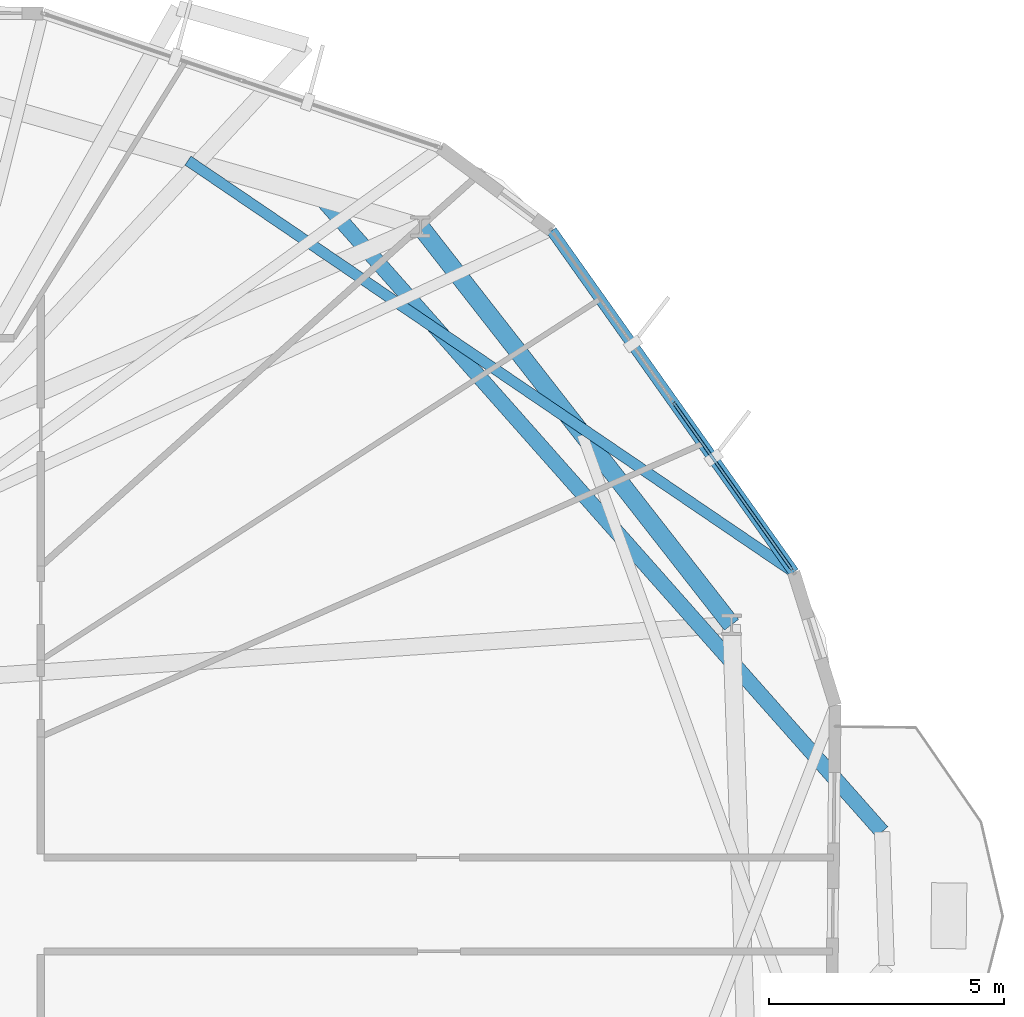
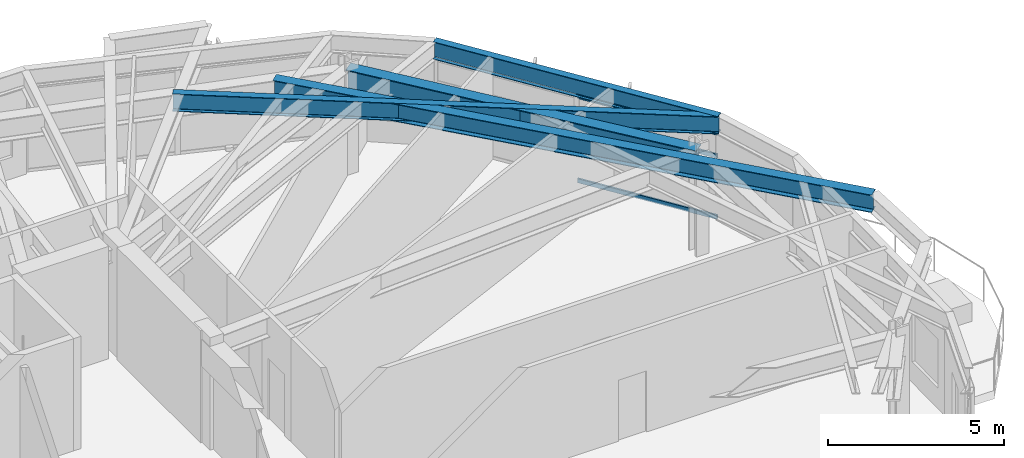
# One storey, part 15 of 27: 4 beams, 3 members, 1 element without a shape of its own.
"""IFC4 building model written with IfcOpenShell, lengths in metres."""

from ifc_helpers import new_model, si_unit, direction, frame, origin, origin_2d, place, context, subcontext, project, spatial, hollow_rectangle, i_section, extrude, material, layer, layer_set, material_profile, profile_set, type_object, element, aggregate, save


model = new_model("IFC4")

# Units and contexts
model_context = context("Model", 3, precision=1e-05, world=origin(), true_north=direction((0.0, 1.0)))
body_context = subcontext(model_context, "Body", "Model", "MODEL_VIEW")
ifc_project = project(units=[si_unit("LENGTHUNIT", "METRE"), si_unit("AREAUNIT", "SQUARE_METRE"), si_unit("VOLUMEUNIT", "CUBIC_METRE"), si_unit("PLANEANGLEUNIT", "RADIAN"), si_unit("MASSUNIT", "GRAM", prefix="KILO")], contexts=[model_context])

# Site, building, storey
site_placement = place(None, origin())
site = spatial("IfcSite", under=ifc_project, at=site_placement, CompositionType="ELEMENT")
building_placement = place(site_placement, origin())
building = spatial("IfcBuilding", under=site, at=building_placement, Name="Soratama Intermodal Tower", CompositionType="ELEMENT")
storey_placement = place(building_placement, frame((0.0, 0.0, 95.199951171875)))
storey = spatial("IfcBuildingStorey", under=building, at=storey_placement, Name="L22", CompositionType="ELEMENT", Elevation=95.199951171875)

# Beams
ifc_material_1 = material(Name="Structural steel ASTM A992 Grade 50", Category="steel")
ifc_material_profile_1 = material_profile(ifc_material_1, i_section(OverallWidth=0.324951171875, OverallDepth=0.615966796875, WebThickness=0.013916015625, FlangeThickness=0.021484375, FilletRadius=0.013916015625, at=origin_2d()), Name="W24X117")
ifc_profile_set_1 = profile_set([ifc_material_profile_1], Name="Structural steel ASTM A992 Grade 50")
beam_type_1 = type_object("IfcBeamType", Name="BM-CANT-W24X117", PredefinedType="BEAM", material=ifc_profile_set_1)
beam_1_placement = place(storey_placement, frame((52.64306640625, 40.0009765625, 3.2919921875), z_axis=(0.662894502097, -0.748712814829, 0.0), x_axis=(0.748712814829, 0.662894502097, 0.0)))
element("IfcBeam", 1, at=beam_1_placement, inside=storey, type_object=beam_type_1, Name="BM-L22-CANT-1-2", PredefinedType="BEAM", context=body_context, shape_type="SweptSolid", body=[
    extrude(i_section(OverallWidth=0.324951171875, OverallDepth=0.615966796875, WebThickness=0.013916015625, FlangeThickness=0.021484375, FilletRadius=0.013916015625, at=origin_2d()), origin(), (0.0, 0.0, 1.0), 17.970947265625),
])
ifc_material_2 = material(Name="Structural steel ASTM A992 Grade 50", Category="steel")
ifc_material_profile_2 = material_profile(ifc_material_2, i_section(OverallWidth=0.382080078125, OverallDepth=0.779052734375, WebThickness=0.01806640625, FlangeThickness=0.030029296875, FilletRadius=0.01806640625, at=origin_2d()), Name="W30X191")
ifc_profile_set_2 = profile_set([ifc_material_profile_2], Name="Structural steel ASTM A992 Grade 50")
beam_type_2 = type_object("IfcBeamType", Name="BM-RING-W30X191", PredefinedType="BEAM", material=ifc_profile_set_2)
beam_2_placement = place(storey_placement, frame((61.35107421875, 30.950927734375, 3.21044921875), z_axis=(-0.615683690883, 0.787993396407, 0.0), x_axis=(-0.787993396407, -0.615683690883, 0.0)))
element("IfcBeam", 2, at=beam_2_placement, inside=storey, type_object=beam_type_2, Name="BM-L22-RING-01", PredefinedType="BEAM", context=body_context, shape_type="SweptSolid", body=[
    extrude(i_section(OverallWidth=0.382080078125, OverallDepth=0.779052734375, WebThickness=0.01806640625, FlangeThickness=0.030029296875, FilletRadius=0.01806640625, at=origin_2d()), origin(), (0.0, 0.0, 1.0), 10.754150390625),
])
ifc_material_3 = material(Name="Structural steel ASTM A992 Grade 50", Category="steel")
ifc_material_profile_3 = material_profile(ifc_material_3, i_section(OverallWidth=0.22900390625, OverallDepth=0.612060546875, WebThickness=0.011962890625, FlangeThickness=0.01953125, FilletRadius=0.012939453125, at=origin_2d()), Name="W24X84")
ifc_profile_set_3 = profile_set([ifc_material_profile_3], Name="Structural steel ASTM A992 Grade 50")
beam_type_3 = type_object("IfcBeamType", Name="BM-SPN-W24X84", PredefinedType="SPANDREL", material=ifc_profile_set_3)
beam_3_placement = place(storey_placement, frame((62.675048828125, 32.072021484375, 3.2939453125), z_axis=(-0.578380704707, 0.815766976791, 0.0), x_axis=(-0.815766976791, -0.578380704707, 0.0)))
element("IfcBeam", 3, at=beam_3_placement, inside=storey, type_object=beam_type_3, Name="BS-L22-F01", PredefinedType="SPANDREL", context=body_context, shape_type="SweptSolid", body=[
    extrude(i_section(OverallWidth=0.22900390625, OverallDepth=0.612060546875, WebThickness=0.011962890625, FlangeThickness=0.01953125, FilletRadius=0.012939453125, at=origin_2d()), origin(), (0.0, 0.0, 1.0), 8.909423828125),
])
ifc_material_4 = material(Name="Structural steel ASTM A992 Grade 50", Category="steel")
ifc_material_profile_4 = material_profile(ifc_material_4, i_section(OverallWidth=0.22900390625, OverallDepth=0.612060546875, WebThickness=0.011962890625, FlangeThickness=0.01953125, FilletRadius=0.012939453125, at=origin_2d()), Name="W24X84")
ifc_profile_set_4 = profile_set([ifc_material_profile_4], Name="Structural steel ASTM A992 Grade 50")
beam_type_4 = type_object("IfcBeamType", Name="BM-TIE-W24X84", PredefinedType="BEAM", material=ifc_profile_set_4)
beam_4_placement = place(storey_placement, frame((49.782958984375, 40.8310546875, 3.2939453125), z_axis=(0.827152808892, -0.561977073147, 0.0), x_axis=(0.561977073147, 0.827152808892, 0.0)))
element("IfcBeam", 4, at=beam_4_placement, inside=storey, type_object=beam_type_4, Name="BM-L22-TIE0-01", PredefinedType="BEAM", context=body_context, shape_type="SweptSolid", body=[
    extrude(i_section(OverallWidth=0.22900390625, OverallDepth=0.612060546875, WebThickness=0.011962890625, FlangeThickness=0.01953125, FilletRadius=0.012939453125, at=origin_2d()), origin(), (0.0, 0.0, 1.0), 15.586181640625),
])

# Curtain wall, members
ifc_material_5 = material(Name="Double-glazed aluminium curtain wall", Category="aluminium")
ifc_layer = layer(ifc_material_5, 0.159912109375)
ifc_layer_set = layer_set([ifc_layer], Name="Double-glazed aluminium curtain wall")
curtain_wall_type = type_object("IfcCurtainWallType", Name="CW-SYS-3", PredefinedType="NOTDEFINED", material=ifc_layer_set)
curtain_wall_placement = place(storey_placement, origin())
curtain_wall = element("IfcCurtainWall", 5, at=curtain_wall_placement, inside=storey, type_object=curtain_wall_type, Name="L22 Faceted Curtain Wall F01", PredefinedType="NOTDEFINED")
ifc_material_6 = material(Name="Anodised aluminium AA 6063-T6", Category="aluminium")
ifc_material_profile_5 = material_profile(ifc_material_6, hollow_rectangle(XDim=0.06494140625, YDim=0.14990234375, WallThickness=0.0048828125, InnerFilletRadius=0.0048828125, OuterFilletRadius=0.010009765625, at=origin_2d()), Name="CWT150X65X5")
ifc_profile_set_5 = profile_set([ifc_material_profile_5], Name="Anodised aluminium AA 6063-T6")
member_type = type_object("IfcMemberType", Name="TT-CWT-1", PredefinedType="USERDEFINED", material=ifc_profile_set_5)
member_1_placement = place(storey_placement, frame((62.639892578125, 32.121337890625, 0.030029296875), z_axis=(-0.57836651038, 0.815777040417, 0.0), x_axis=(-0.815777040417, -0.57836651038, 0.0)))
member_1 = element("IfcMember", 6, at=member_1_placement, type_object=member_type, Name="CW-3 transom 1.1", ObjectType="TRANSOM", PredefinedType="USERDEFINED", context=body_context, shape_type="SweptSolid", body=[
    extrude(hollow_rectangle(XDim=0.06494140625, YDim=0.14990234375, WallThickness=0.0048828125, InnerFilletRadius=0.0048828125, OuterFilletRadius=0.010009765625, at=origin_2d()), origin(), (0.0, 0.0, 1.0), 4.3642578125),
])
member_2_placement = place(storey_placement, frame((62.639892578125, 32.121337890625, 2.150146484375), z_axis=(-0.57836651038, 0.815777040417, 0.0), x_axis=(-0.815777040417, -0.57836651038, 0.0)))
member_2 = element("IfcMember", 7, at=member_2_placement, type_object=member_type, Name="CW-3 transom 1.2", ObjectType="TRANSOM", PredefinedType="USERDEFINED", context=body_context, shape_type="SweptSolid", body=[
    extrude(hollow_rectangle(XDim=0.06494140625, YDim=0.14990234375, WallThickness=0.0048828125, InnerFilletRadius=0.0048828125, OuterFilletRadius=0.010009765625, at=origin_2d()), origin(), (0.0, 0.0, 1.0), 4.3642578125),
])
member_3_placement = place(storey_placement, frame((62.639892578125, 32.121337890625, 2.948974609375), z_axis=(-0.57836651038, 0.815777040417, 0.0), x_axis=(-0.815777040417, -0.57836651038, 0.0)))
member_3 = element("IfcMember", 8, at=member_3_placement, type_object=member_type, Name="CW-3 transom 1.3", ObjectType="TRANSOM", PredefinedType="USERDEFINED", context=body_context, shape_type="SweptSolid", body=[
    extrude(hollow_rectangle(XDim=0.06494140625, YDim=0.14990234375, WallThickness=0.0048828125, InnerFilletRadius=0.0048828125, OuterFilletRadius=0.010009765625, at=origin_2d()), origin(), (0.0, 0.0, 1.0), 4.3642578125),
])
aggregate(curtain_wall, [member_1, member_2, member_3])

save(model, "model.ifc")
